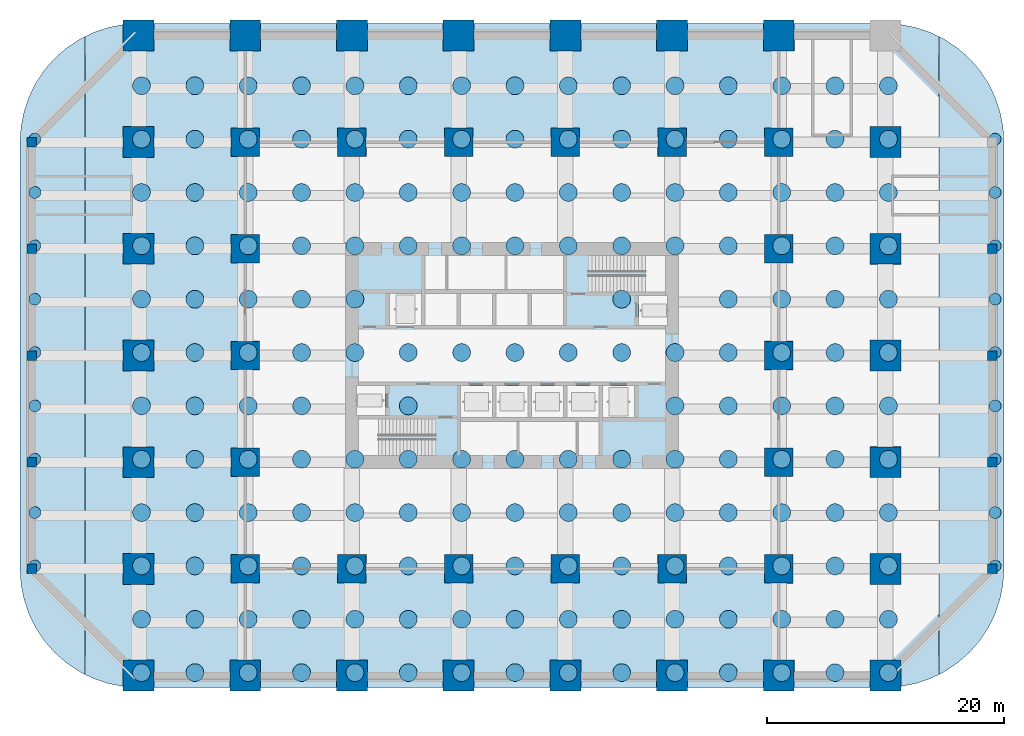
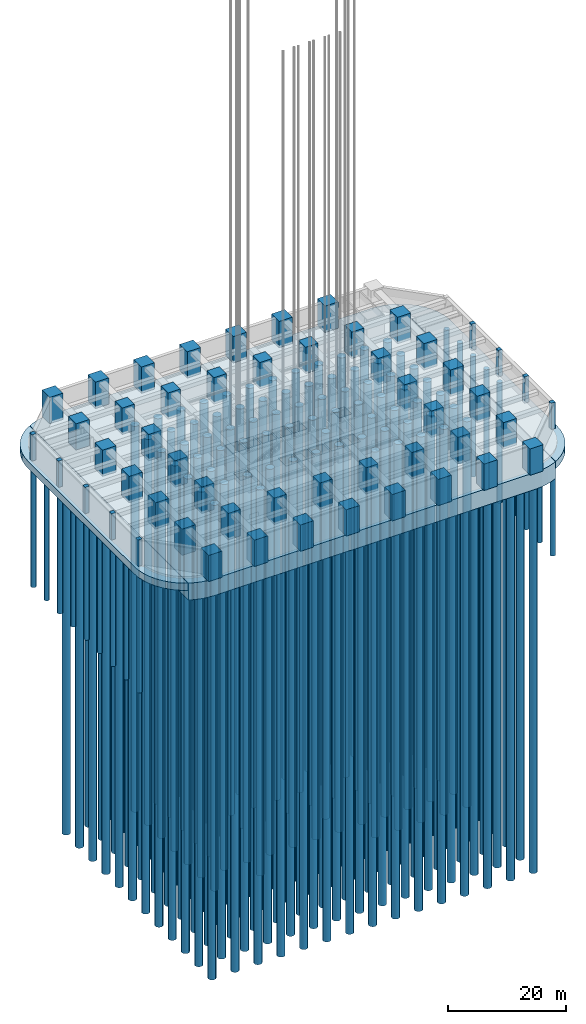
# One storey, part 1 of 24: 188 piles, 52 columns, 3 footings.
"""IFC4 building model written with IfcOpenShell, lengths in metres."""

from ifc_helpers import new_model, si_unit, direction, frame, origin, origin_2d, place, context, subcontext, project, spatial, polyline, rectangle, circle, outline, extrude, material, layer, layer_set, material_profile, profile_set, type_object, element, save


model = new_model("IFC4")

# Units and contexts
model_context = context("Model", 3, precision=1e-05, world=origin(), true_north=direction((0.0, 1.0)))
body_context = subcontext(model_context, "Body", "Model", "MODEL_VIEW")
ifc_project = project(units=[si_unit("LENGTHUNIT", "METRE"), si_unit("AREAUNIT", "SQUARE_METRE"), si_unit("VOLUMEUNIT", "CUBIC_METRE"), si_unit("PLANEANGLEUNIT", "RADIAN"), si_unit("MASSUNIT", "GRAM", prefix="KILO")], contexts=[model_context])

# Site, building, storey
site_placement = place(None, origin())
site = spatial("IfcSite", under=ifc_project, at=site_placement, CompositionType="ELEMENT")
building_placement = place(site_placement, origin())
building = spatial("IfcBuilding", under=site, at=building_placement, Name="Zorevar Civic Tower", CompositionType="ELEMENT")
storey_placement = place(building_placement, frame((0.0, 0.0, -5.0)))
storey = spatial("IfcBuildingStorey", under=building, at=storey_placement, Name="B1", CompositionType="ELEMENT", Elevation=-5.0)

# Piles
ifc_material_1 = material(Name="Concrete C35/45", Category="concrete")
pile_type_1 = type_object("IfcPileType", Name="Bored pile D1000", PredefinedType="BORED", material=ifc_material_1)
for number, where, z_axis, x_axis, name in (
    (1, (-8.75, 9.25, -1.949951171875), (0.0, 0.0, -1.0), (1.0, 0.0, 0.0), "Pile 031"),
    (2, (72.25, 9.25, -1.949951171875), (0.0, 0.0, -1.0), (1.0, 0.0, 0.0), "Pile 047"),
    (3, (-8.75, 13.75, -1.949951171875), (0.0, 0.0, -1.0), (1.0, 0.0, 0.0), "Pile 048"),
    (4, (72.25, 13.75, -1.949951171875), (0.0, 0.0, -1.0), (1.0, 0.0, 0.0), "Pile 064"),
    (5, (-8.75, 18.25, -1.949951171875), (0.0, 0.0, -1.0), (1.0, 0.0, 0.0), "Pile 065"),
    (6, (72.25, 18.25, -1.949951171875), (0.0, 0.0, -1.0), (1.0, 0.0, 0.0), "Pile 081"),
    (7, (-8.75, 22.75, -1.949951171875), (0.0, 0.0, -1.0), (1.0, 0.0, 0.0), "Pile 082"),
    (8, (72.25, 22.75, -1.949951171875), (0.0, 0.0, -1.0), (1.0, 0.0, 0.0), "Pile 093"),
    (9, (-8.75, 27.25, -1.949951171875), (0.0, 0.0, -1.0), (1.0, 0.0, 0.0), "Pile 094"),
    (10, (72.25, 27.25, -1.949951171875), (0.0, 0.0, -1.0), (1.0, 0.0, 0.0), "Pile 110"),
    (11, (-8.75, 31.75, -1.949951171875), (0.0, 0.0, -1.0), (1.0, 0.0, 0.0), "Pile 111"),
    (12, (72.25, 31.75, -1.949951171875), (0.0, 0.0, -1.0), (1.0, 0.0, 0.0), "Pile 122"),
    (13, (-8.75, 36.25, -1.949951171875), (0.0, 0.0, -1.0), (1.0, 0.0, 0.0), "Pile 123"),
    (14, (72.25, 36.25, -1.949951171875), (0.0, 0.0, -1.0), (1.0, 0.0, 0.0), "Pile 139"),
    (15, (-8.75, 40.75, -1.949951171875), (0.0, 0.0, -1.0), (1.0, 0.0, 0.0), "Pile 140"),
    (16, (72.25, 40.75, -1.949951171875), (0.0, 0.0, -1.0), (1.0, 0.0, 0.0), "Pile 156"),
    (17, (-8.75, 45.25, -1.949951171875), (0.0, 0.0, -1.0), (1.0, 0.0, 0.0), "Pile 157"),
    (18, (72.25, 45.25, -1.949951171875), (0.0, 0.0, -1.0), (1.0, 0.0, 0.0), "Pile 173"),
):
    element("IfcPile", number, at=place(storey_placement, frame(where, z_axis=z_axis, x_axis=x_axis)), inside=storey, type_object=pile_type_1, Name=name, PredefinedType="BORED", context=body_context, shape_type="SweptSolid", body=[
        extrude(circle(Radius=0.5, at=origin_2d()), origin(), (0.0, 0.0, 1.0), 25.0),
    ])
ifc_material_2 = material(Name="Concrete C35/45", Category="concrete")
pile_type_2 = type_object("IfcPileType", Name="Bored pile D1500", PredefinedType="BORED", material=ifc_material_2)
for number, where, z_axis, x_axis, name in (
    (19, (0.25, 0.25, -3.949951171875), (0.0, 0.0, -1.0), (1.0, 0.0, 0.0), "Pile 001"),
    (20, (4.75, 0.25, -3.949951171875), (0.0, 0.0, -1.0), (1.0, 0.0, 0.0), "Pile 002"),
    (21, (9.25, 0.25, -3.949951171875), (0.0, 0.0, -1.0), (1.0, 0.0, 0.0), "Pile 003"),
    (22, (13.75, 0.25, -3.949951171875), (0.0, 0.0, -1.0), (1.0, 0.0, 0.0), "Pile 004"),
    (23, (18.25, 0.25, -3.949951171875), (0.0, 0.0, -1.0), (1.0, 0.0, 0.0), "Pile 005"),
    (24, (22.75, 0.25, -3.949951171875), (0.0, 0.0, -1.0), (1.0, 0.0, 0.0), "Pile 006"),
    (25, (27.25, 0.25, -3.949951171875), (0.0, 0.0, -1.0), (1.0, 0.0, 0.0), "Pile 007"),
    (26, (31.75, 0.25, -3.949951171875), (0.0, 0.0, -1.0), (1.0, 0.0, 0.0), "Pile 008"),
    (27, (36.25, 0.25, -3.949951171875), (0.0, 0.0, -1.0), (1.0, 0.0, 0.0), "Pile 009"),
    (28, (40.75, 0.25, -3.949951171875), (0.0, 0.0, -1.0), (1.0, 0.0, 0.0), "Pile 010"),
    (29, (45.25, 0.25, -3.949951171875), (0.0, 0.0, -1.0), (1.0, 0.0, 0.0), "Pile 011"),
    (30, (49.75, 0.25, -3.949951171875), (0.0, 0.0, -1.0), (1.0, 0.0, 0.0), "Pile 012"),
    (31, (54.25, 0.25, -3.949951171875), (0.0, 0.0, -1.0), (1.0, 0.0, 0.0), "Pile 013"),
    (32, (58.75, 0.25, -3.949951171875), (0.0, 0.0, -1.0), (1.0, 0.0, 0.0), "Pile 014"),
    (33, (63.25, 0.25, -3.949951171875), (0.0, 0.0, -1.0), (1.0, 0.0, 0.0), "Pile 015"),
    (34, (0.25, 4.75, -3.949951171875), (0.0, 0.0, -1.0), (1.0, 0.0, 0.0), "Pile 016"),
    (35, (4.75, 4.75, -3.949951171875), (0.0, 0.0, -1.0), (1.0, 0.0, 0.0), "Pile 017"),
    (36, (9.25, 4.75, -3.949951171875), (0.0, 0.0, -1.0), (1.0, 0.0, 0.0), "Pile 018"),
    (37, (13.75, 4.75, -3.949951171875), (0.0, 0.0, -1.0), (1.0, 0.0, 0.0), "Pile 019"),
    (38, (18.25, 4.75, -3.949951171875), (0.0, 0.0, -1.0), (1.0, 0.0, 0.0), "Pile 020"),
    (39, (22.75, 4.75, -3.949951171875), (0.0, 0.0, -1.0), (1.0, 0.0, 0.0), "Pile 021"),
    (40, (27.25, 4.75, -3.949951171875), (0.0, 0.0, -1.0), (1.0, 0.0, 0.0), "Pile 022"),
    (41, (31.75, 4.75, -3.949951171875), (0.0, 0.0, -1.0), (1.0, 0.0, 0.0), "Pile 023"),
    (42, (36.25, 4.75, -3.949951171875), (0.0, 0.0, -1.0), (1.0, 0.0, 0.0), "Pile 024"),
    (43, (40.75, 4.75, -3.949951171875), (0.0, 0.0, -1.0), (1.0, 0.0, 0.0), "Pile 025"),
    (44, (45.25, 4.75, -3.949951171875), (0.0, 0.0, -1.0), (1.0, 0.0, 0.0), "Pile 026"),
    (45, (49.75, 4.75, -3.949951171875), (0.0, 0.0, -1.0), (1.0, 0.0, 0.0), "Pile 027"),
    (46, (54.25, 4.75, -3.949951171875), (0.0, 0.0, -1.0), (1.0, 0.0, 0.0), "Pile 028"),
    (47, (58.75, 4.75, -3.949951171875), (0.0, 0.0, -1.0), (1.0, 0.0, 0.0), "Pile 029"),
    (48, (63.25, 4.75, -3.949951171875), (0.0, 0.0, -1.0), (1.0, 0.0, 0.0), "Pile 030"),
    (49, (0.25, 9.25, -3.949951171875), (0.0, 0.0, -1.0), (1.0, 0.0, 0.0), "Pile 032"),
    (50, (4.75, 9.25, -3.949951171875), (0.0, 0.0, -1.0), (1.0, 0.0, 0.0), "Pile 033"),
    (51, (9.25, 9.25, -3.949951171875), (0.0, 0.0, -1.0), (1.0, 0.0, 0.0), "Pile 034"),
    (52, (13.75, 9.25, -3.949951171875), (0.0, 0.0, -1.0), (1.0, 0.0, 0.0), "Pile 035"),
    (53, (18.25, 9.25, -3.949951171875), (0.0, 0.0, -1.0), (1.0, 0.0, 0.0), "Pile 036"),
    (54, (22.75, 9.25, -3.949951171875), (0.0, 0.0, -1.0), (1.0, 0.0, 0.0), "Pile 037"),
    (55, (27.25, 9.25, -3.949951171875), (0.0, 0.0, -1.0), (1.0, 0.0, 0.0), "Pile 038"),
    (56, (31.75, 9.25, -3.949951171875), (0.0, 0.0, -1.0), (1.0, 0.0, 0.0), "Pile 039"),
    (57, (36.25, 9.25, -3.949951171875), (0.0, 0.0, -1.0), (1.0, 0.0, 0.0), "Pile 040"),
    (58, (40.75, 9.25, -3.949951171875), (0.0, 0.0, -1.0), (1.0, 0.0, 0.0), "Pile 041"),
    (59, (45.25, 9.25, -3.949951171875), (0.0, 0.0, -1.0), (1.0, 0.0, 0.0), "Pile 042"),
    (60, (49.75, 9.25, -3.949951171875), (0.0, 0.0, -1.0), (1.0, 0.0, 0.0), "Pile 043"),
    (61, (54.25, 9.25, -3.949951171875), (0.0, 0.0, -1.0), (1.0, 0.0, 0.0), "Pile 044"),
    (62, (58.75, 9.25, -3.949951171875), (0.0, 0.0, -1.0), (1.0, 0.0, 0.0), "Pile 045"),
    (63, (63.25, 9.25, -3.949951171875), (0.0, 0.0, -1.0), (1.0, 0.0, 0.0), "Pile 046"),
    (64, (0.25, 13.75, -3.949951171875), (0.0, 0.0, -1.0), (1.0, 0.0, 0.0), "Pile 049"),
    (65, (4.75, 13.75, -3.949951171875), (0.0, 0.0, -1.0), (1.0, 0.0, 0.0), "Pile 050"),
    (66, (9.25, 13.75, -3.949951171875), (0.0, 0.0, -1.0), (1.0, 0.0, 0.0), "Pile 051"),
    (67, (13.75, 13.75, -3.949951171875), (0.0, 0.0, -1.0), (1.0, 0.0, 0.0), "Pile 052"),
    (68, (18.25, 13.75, -3.949951171875), (0.0, 0.0, -1.0), (1.0, 0.0, 0.0), "Pile 053"),
    (69, (22.75, 13.75, -3.949951171875), (0.0, 0.0, -1.0), (1.0, 0.0, 0.0), "Pile 054"),
    (70, (27.25, 13.75, -3.949951171875), (0.0, 0.0, -1.0), (1.0, 0.0, 0.0), "Pile 055"),
    (71, (31.75, 13.75, -3.949951171875), (0.0, 0.0, -1.0), (1.0, 0.0, 0.0), "Pile 056"),
    (72, (36.25, 13.75, -3.949951171875), (0.0, 0.0, -1.0), (1.0, 0.0, 0.0), "Pile 057"),
    (73, (40.75, 13.75, -3.949951171875), (0.0, 0.0, -1.0), (1.0, 0.0, 0.0), "Pile 058"),
    (74, (45.25, 13.75, -3.949951171875), (0.0, 0.0, -1.0), (1.0, 0.0, 0.0), "Pile 059"),
    (75, (49.75, 13.75, -3.949951171875), (0.0, 0.0, -1.0), (1.0, 0.0, 0.0), "Pile 060"),
    (76, (54.25, 13.75, -3.949951171875), (0.0, 0.0, -1.0), (1.0, 0.0, 0.0), "Pile 061"),
    (77, (58.75, 13.75, -3.949951171875), (0.0, 0.0, -1.0), (1.0, 0.0, 0.0), "Pile 062"),
    (78, (63.25, 13.75, -3.949951171875), (0.0, 0.0, -1.0), (1.0, 0.0, 0.0), "Pile 063"),
    (79, (0.25, 18.25, -3.949951171875), (0.0, 0.0, -1.0), (1.0, 0.0, 0.0), "Pile 066"),
    (80, (4.75, 18.25, -3.949951171875), (0.0, 0.0, -1.0), (1.0, 0.0, 0.0), "Pile 067"),
    (81, (9.25, 18.25, -3.949951171875), (0.0, 0.0, -1.0), (1.0, 0.0, 0.0), "Pile 068"),
    (82, (13.75, 18.25, -3.949951171875), (0.0, 0.0, -1.0), (1.0, 0.0, 0.0), "Pile 069"),
    (83, (18.25, 18.25, -3.949951171875), (0.0, 0.0, -1.0), (1.0, 0.0, 0.0), "Pile 070"),
    (84, (22.75, 18.25, -3.949951171875), (0.0, 0.0, -1.0), (1.0, 0.0, 0.0), "Pile 071"),
    (85, (27.25, 18.25, -3.949951171875), (0.0, 0.0, -1.0), (1.0, 0.0, 0.0), "Pile 072"),
    (86, (31.75, 18.25, -3.949951171875), (0.0, 0.0, -1.0), (1.0, 0.0, 0.0), "Pile 073"),
    (87, (36.25, 18.25, -3.949951171875), (0.0, 0.0, -1.0), (1.0, 0.0, 0.0), "Pile 074"),
    (88, (40.75, 18.25, -3.949951171875), (0.0, 0.0, -1.0), (1.0, 0.0, 0.0), "Pile 075"),
    (89, (45.25, 18.25, -3.949951171875), (0.0, 0.0, -1.0), (1.0, 0.0, 0.0), "Pile 076"),
    (90, (49.75, 18.25, -3.949951171875), (0.0, 0.0, -1.0), (1.0, 0.0, 0.0), "Pile 077"),
    (91, (54.25, 18.25, -3.949951171875), (0.0, 0.0, -1.0), (1.0, 0.0, 0.0), "Pile 078"),
    (92, (58.75, 18.25, -3.949951171875), (0.0, 0.0, -1.0), (1.0, 0.0, 0.0), "Pile 079"),
    (93, (63.25, 18.25, -3.949951171875), (0.0, 0.0, -1.0), (1.0, 0.0, 0.0), "Pile 080"),
    (94, (0.25, 22.75, -3.949951171875), (0.0, 0.0, -1.0), (1.0, 0.0, 0.0), "Pile 083"),
    (95, (4.75, 22.75, -3.949951171875), (0.0, 0.0, -1.0), (1.0, 0.0, 0.0), "Pile 084"),
    (96, (9.25, 22.75, -3.949951171875), (0.0, 0.0, -1.0), (1.0, 0.0, 0.0), "Pile 085"),
    (97, (13.75, 22.75, -3.949951171875), (0.0, 0.0, -1.0), (1.0, 0.0, 0.0), "Pile 086"),
    (98, (22.75, 22.75, -3.949951171875), (0.0, 0.0, -1.0), (1.0, 0.0, 0.0), "Pile 087"),
    (99, (45.25, 22.75, -3.949951171875), (0.0, 0.0, -1.0), (1.0, 0.0, 0.0), "Pile 088"),
    (100, (49.75, 22.75, -3.949951171875), (0.0, 0.0, -1.0), (1.0, 0.0, 0.0), "Pile 089"),
    (101, (54.25, 22.75, -3.949951171875), (0.0, 0.0, -1.0), (1.0, 0.0, 0.0), "Pile 090"),
    (102, (58.75, 22.75, -3.949951171875), (0.0, 0.0, -1.0), (1.0, 0.0, 0.0), "Pile 091"),
    (103, (63.25, 22.75, -3.949951171875), (0.0, 0.0, -1.0), (1.0, 0.0, 0.0), "Pile 092"),
    (104, (0.25, 27.25, -3.949951171875), (0.0, 0.0, -1.0), (1.0, 0.0, 0.0), "Pile 095"),
    (105, (4.75, 27.25, -3.949951171875), (0.0, 0.0, -1.0), (1.0, 0.0, 0.0), "Pile 096"),
    (106, (9.25, 27.25, -3.949951171875), (0.0, 0.0, -1.0), (1.0, 0.0, 0.0), "Pile 097"),
    (107, (13.75, 27.25, -3.949951171875), (0.0, 0.0, -1.0), (1.0, 0.0, 0.0), "Pile 098"),
    (108, (18.25, 27.25, -3.949951171875), (0.0, 0.0, -1.0), (1.0, 0.0, 0.0), "Pile 099"),
    (109, (22.75, 27.25, -3.949951171875), (0.0, 0.0, -1.0), (1.0, 0.0, 0.0), "Pile 100"),
    (110, (27.25, 27.25, -3.949951171875), (0.0, 0.0, -1.0), (1.0, 0.0, 0.0), "Pile 101"),
    (111, (31.75, 27.25, -3.949951171875), (0.0, 0.0, -1.0), (1.0, 0.0, 0.0), "Pile 102"),
    (112, (36.25, 27.25, -3.949951171875), (0.0, 0.0, -1.0), (1.0, 0.0, 0.0), "Pile 103"),
    (113, (40.75, 27.25, -3.949951171875), (0.0, 0.0, -1.0), (1.0, 0.0, 0.0), "Pile 104"),
    (114, (45.25, 27.25, -3.949951171875), (0.0, 0.0, -1.0), (1.0, 0.0, 0.0), "Pile 105"),
    (115, (49.75, 27.25, -3.949951171875), (0.0, 0.0, -1.0), (1.0, 0.0, 0.0), "Pile 106"),
    (116, (54.25, 27.25, -3.949951171875), (0.0, 0.0, -1.0), (1.0, 0.0, 0.0), "Pile 107"),
    (117, (58.75, 27.25, -3.949951171875), (0.0, 0.0, -1.0), (1.0, 0.0, 0.0), "Pile 108"),
    (118, (63.25, 27.25, -3.949951171875), (0.0, 0.0, -1.0), (1.0, 0.0, 0.0), "Pile 109"),
    (119, (0.25, 31.75, -3.949951171875), (0.0, 0.0, -1.0), (1.0, 0.0, 0.0), "Pile 112"),
    (120, (4.75, 31.75, -3.949951171875), (0.0, 0.0, -1.0), (1.0, 0.0, 0.0), "Pile 113"),
    (121, (9.25, 31.75, -3.949951171875), (0.0, 0.0, -1.0), (1.0, 0.0, 0.0), "Pile 114"),
    (122, (13.75, 31.75, -3.949951171875), (0.0, 0.0, -1.0), (1.0, 0.0, 0.0), "Pile 115"),
    (123, (18.25, 31.75, -3.949951171875), (0.0, 0.0, -1.0), (1.0, 0.0, 0.0), "Pile 116"),
    (124, (40.75, 31.75, -3.949951171875), (0.0, 0.0, -1.0), (1.0, 0.0, 0.0), "Pile 117"),
    (125, (49.75, 31.75, -3.949951171875), (0.0, 0.0, -1.0), (1.0, 0.0, 0.0), "Pile 118"),
    (126, (54.25, 31.75, -3.949951171875), (0.0, 0.0, -1.0), (1.0, 0.0, 0.0), "Pile 119"),
    (127, (58.75, 31.75, -3.949951171875), (0.0, 0.0, -1.0), (1.0, 0.0, 0.0), "Pile 120"),
    (128, (63.25, 31.75, -3.949951171875), (0.0, 0.0, -1.0), (1.0, 0.0, 0.0), "Pile 121"),
    (129, (0.25, 36.25, -3.949951171875), (0.0, 0.0, -1.0), (1.0, 0.0, 0.0), "Pile 124"),
    (130, (4.75, 36.25, -3.949951171875), (0.0, 0.0, -1.0), (1.0, 0.0, 0.0), "Pile 125"),
    (131, (9.25, 36.25, -3.949951171875), (0.0, 0.0, -1.0), (1.0, 0.0, 0.0), "Pile 126"),
    (132, (13.75, 36.25, -3.949951171875), (0.0, 0.0, -1.0), (1.0, 0.0, 0.0), "Pile 127"),
    (133, (18.25, 36.25, -3.949951171875), (0.0, 0.0, -1.0), (1.0, 0.0, 0.0), "Pile 128"),
    (134, (22.75, 36.25, -3.949951171875), (0.0, 0.0, -1.0), (1.0, 0.0, 0.0), "Pile 129"),
    (135, (27.25, 36.25, -3.949951171875), (0.0, 0.0, -1.0), (1.0, 0.0, 0.0), "Pile 130"),
    (136, (31.75, 36.25, -3.949951171875), (0.0, 0.0, -1.0), (1.0, 0.0, 0.0), "Pile 131"),
    (137, (36.25, 36.25, -3.949951171875), (0.0, 0.0, -1.0), (1.0, 0.0, 0.0), "Pile 132"),
    (138, (40.75, 36.25, -3.949951171875), (0.0, 0.0, -1.0), (1.0, 0.0, 0.0), "Pile 133"),
    (139, (45.25, 36.25, -3.949951171875), (0.0, 0.0, -1.0), (1.0, 0.0, 0.0), "Pile 134"),
    (140, (49.75, 36.25, -3.949951171875), (0.0, 0.0, -1.0), (1.0, 0.0, 0.0), "Pile 135"),
    (141, (54.25, 36.25, -3.949951171875), (0.0, 0.0, -1.0), (1.0, 0.0, 0.0), "Pile 136"),
    (142, (58.75, 36.25, -3.949951171875), (0.0, 0.0, -1.0), (1.0, 0.0, 0.0), "Pile 137"),
    (143, (63.25, 36.25, -3.949951171875), (0.0, 0.0, -1.0), (1.0, 0.0, 0.0), "Pile 138"),
    (144, (0.25, 40.75, -3.949951171875), (0.0, 0.0, -1.0), (1.0, 0.0, 0.0), "Pile 141"),
    (145, (4.75, 40.75, -3.949951171875), (0.0, 0.0, -1.0), (1.0, 0.0, 0.0), "Pile 142"),
    (146, (9.25, 40.75, -3.949951171875), (0.0, 0.0, -1.0), (1.0, 0.0, 0.0), "Pile 143"),
    (147, (13.75, 40.75, -3.949951171875), (0.0, 0.0, -1.0), (1.0, 0.0, 0.0), "Pile 144"),
    (148, (18.25, 40.75, -3.949951171875), (0.0, 0.0, -1.0), (1.0, 0.0, 0.0), "Pile 145"),
    (149, (22.75, 40.75, -3.949951171875), (0.0, 0.0, -1.0), (1.0, 0.0, 0.0), "Pile 146"),
    (150, (27.25, 40.75, -3.949951171875), (0.0, 0.0, -1.0), (1.0, 0.0, 0.0), "Pile 147"),
    (151, (31.75, 40.75, -3.949951171875), (0.0, 0.0, -1.0), (1.0, 0.0, 0.0), "Pile 148"),
    (152, (36.25, 40.75, -3.949951171875), (0.0, 0.0, -1.0), (1.0, 0.0, 0.0), "Pile 149"),
    (153, (40.75, 40.75, -3.949951171875), (0.0, 0.0, -1.0), (1.0, 0.0, 0.0), "Pile 150"),
    (154, (45.25, 40.75, -3.949951171875), (0.0, 0.0, -1.0), (1.0, 0.0, 0.0), "Pile 151"),
    (155, (49.75, 40.75, -3.949951171875), (0.0, 0.0, -1.0), (1.0, 0.0, 0.0), "Pile 152"),
    (156, (54.25, 40.75, -3.949951171875), (0.0, 0.0, -1.0), (1.0, 0.0, 0.0), "Pile 153"),
    (157, (58.75, 40.75, -3.949951171875), (0.0, 0.0, -1.0), (1.0, 0.0, 0.0), "Pile 154"),
    (158, (63.25, 40.75, -3.949951171875), (0.0, 0.0, -1.0), (1.0, 0.0, 0.0), "Pile 155"),
    (159, (0.25, 45.25, -3.949951171875), (0.0, 0.0, -1.0), (1.0, 0.0, 0.0), "Pile 158"),
    (160, (4.75, 45.25, -3.949951171875), (0.0, 0.0, -1.0), (1.0, 0.0, 0.0), "Pile 159"),
    (161, (9.25, 45.25, -3.949951171875), (0.0, 0.0, -1.0), (1.0, 0.0, 0.0), "Pile 160"),
    (162, (13.75, 45.25, -3.949951171875), (0.0, 0.0, -1.0), (1.0, 0.0, 0.0), "Pile 161"),
    (163, (18.25, 45.25, -3.949951171875), (0.0, 0.0, -1.0), (1.0, 0.0, 0.0), "Pile 162"),
    (164, (22.75, 45.25, -3.949951171875), (0.0, 0.0, -1.0), (1.0, 0.0, 0.0), "Pile 163"),
    (165, (27.25, 45.25, -3.949951171875), (0.0, 0.0, -1.0), (1.0, 0.0, 0.0), "Pile 164"),
    (166, (31.75, 45.25, -3.949951171875), (0.0, 0.0, -1.0), (1.0, 0.0, 0.0), "Pile 165"),
    (167, (36.25, 45.25, -3.949951171875), (0.0, 0.0, -1.0), (1.0, 0.0, 0.0), "Pile 166"),
    (168, (40.75, 45.25, -3.949951171875), (0.0, 0.0, -1.0), (1.0, 0.0, 0.0), "Pile 167"),
    (169, (45.25, 45.25, -3.949951171875), (0.0, 0.0, -1.0), (1.0, 0.0, 0.0), "Pile 168"),
    (170, (49.75, 45.25, -3.949951171875), (0.0, 0.0, -1.0), (1.0, 0.0, 0.0), "Pile 169"),
    (171, (54.25, 45.25, -3.949951171875), (0.0, 0.0, -1.0), (1.0, 0.0, 0.0), "Pile 170"),
    (172, (58.75, 45.25, -3.949951171875), (0.0, 0.0, -1.0), (1.0, 0.0, 0.0), "Pile 171"),
    (173, (63.25, 45.25, -3.949951171875), (0.0, 0.0, -1.0), (1.0, 0.0, 0.0), "Pile 172"),
    (174, (0.25, 49.75, -3.949951171875), (0.0, 0.0, -1.0), (1.0, 0.0, 0.0), "Pile 174"),
    (175, (4.75, 49.75, -3.949951171875), (0.0, 0.0, -1.0), (1.0, 0.0, 0.0), "Pile 175"),
    (176, (9.25, 49.75, -3.949951171875), (0.0, 0.0, -1.0), (1.0, 0.0, 0.0), "Pile 176"),
    (177, (13.75, 49.75, -3.949951171875), (0.0, 0.0, -1.0), (1.0, 0.0, 0.0), "Pile 177"),
    (178, (18.25, 49.75, -3.949951171875), (0.0, 0.0, -1.0), (1.0, 0.0, 0.0), "Pile 178"),
    (179, (22.75, 49.75, -3.949951171875), (0.0, 0.0, -1.0), (1.0, 0.0, 0.0), "Pile 179"),
    (180, (27.25, 49.75, -3.949951171875), (0.0, 0.0, -1.0), (1.0, 0.0, 0.0), "Pile 180"),
    (181, (31.75, 49.75, -3.949951171875), (0.0, 0.0, -1.0), (1.0, 0.0, 0.0), "Pile 181"),
    (182, (36.25, 49.75, -3.949951171875), (0.0, 0.0, -1.0), (1.0, 0.0, 0.0), "Pile 182"),
    (183, (40.75, 49.75, -3.949951171875), (0.0, 0.0, -1.0), (1.0, 0.0, 0.0), "Pile 183"),
    (184, (45.25, 49.75, -3.949951171875), (0.0, 0.0, -1.0), (1.0, 0.0, 0.0), "Pile 184"),
    (185, (49.75, 49.75, -3.949951171875), (0.0, 0.0, -1.0), (1.0, 0.0, 0.0), "Pile 185"),
    (186, (54.25, 49.75, -3.949951171875), (0.0, 0.0, -1.0), (1.0, 0.0, 0.0), "Pile 186"),
    (187, (58.75, 49.75, -3.949951171875), (0.0, 0.0, -1.0), (1.0, 0.0, 0.0), "Pile 187"),
    (188, (63.25, 49.75, -3.949951171875), (0.0, 0.0, -1.0), (1.0, 0.0, 0.0), "Pile 188"),
):
    element("IfcPile", number, at=place(storey_placement, frame(where, z_axis=z_axis, x_axis=x_axis)), inside=storey, type_object=pile_type_2, Name=name, PredefinedType="BORED", context=body_context, shape_type="SweptSolid", body=[
        extrude(circle(Radius=0.75, at=origin_2d()), origin(), (0.0, 0.0, 1.0), 80.0),
    ])

# Footings
ifc_material_3 = material(Name="Concrete C40/50", Category="concrete")
ifc_layer_1 = layer(ifc_material_3, 1.5)
ifc_layer_set_1 = layer_set([ifc_layer_1], Name="Podium piled raft 1500")
footing_type_1 = type_object("IfcFootingType", Name="Podium piled raft 1500", PredefinedType="PILE_CAP", material=ifc_layer_set_1)
footing_1_placement = place(storey_placement, frame((0.0, 0.0, -1.949951171875)))
element("IfcFooting", 189, at=footing_1_placement, inside=storey, type_object=footing_type_1, Name="Podium piled raft PR2 W", PredefinedType="PILE_CAP", context=body_context, shape_type="SweptSolid", body=[
    extrude(outline(polyline([(-5.0, 0.33984375), (-6.087646484375, 1.06640625), (-7.071044921875, 1.928955078125), (-7.93359375, 2.912353515625), (-8.66015625, 4.0), (-9.23876953125, 5.173095703125), (-9.6591796875, 6.411865234375), (-9.91455078125, 7.69482421875), (-10.0, 9.0), (-10.0, 45.0), (-9.91455078125, 46.30517578125), (-9.6591796875, 47.588134765625), (-9.23876953125, 48.826904296875), (-8.66015625, 50.0), (-7.93359375, 51.087646484375), (-7.071044921875, 52.071044921875), (-6.087646484375, 52.93359375), (-5.0, 53.66015625), (-4.52490234375, 53.89453125), (-4.52490234375, 0.10546875), (-5.0, 0.33984375)])), origin(), (0.0, 0.0, 1.0), 1.5),
])
footing_2_placement = place(storey_placement, frame((0.0, 0.0, -1.949951171875)))
element("IfcFooting", 190, at=footing_2_placement, inside=storey, type_object=footing_type_1, Name="Podium piled raft PR2 E", PredefinedType="PILE_CAP", context=body_context, shape_type="SweptSolid", body=[
    extrude(outline(polyline([(68.0, 53.66015625), (69.087646484375, 52.93359375), (70.071044921875, 52.071044921875), (70.93359375, 51.087646484375), (71.66015625, 50.0), (72.23876953125, 48.826904296875), (72.6591796875, 47.588134765625), (72.91455078125, 46.30517578125), (73.0, 45.0), (73.0, 9.0), (72.91455078125, 7.69482421875), (72.6591796875, 6.411865234375), (72.23876953125, 5.173095703125), (71.66015625, 4.0), (70.93359375, 2.912353515625), (70.071044921875, 1.928955078125), (69.087646484375, 1.06640625), (68.0, 0.33984375), (67.52490234375, 0.10546875), (67.52490234375, 53.89453125), (68.0, 53.66015625)])), origin(), (0.0, 0.0, 1.0), 1.5),
])
ifc_material_4 = material(Name="Concrete C40/50", Category="concrete")
ifc_layer_2 = layer(ifc_material_4, 3.5)
ifc_layer_set_2 = layer_set([ifc_layer_2], Name="Tower piled raft 3500")
footing_type_2 = type_object("IfcFootingType", Name="Tower piled raft 3500", PredefinedType="PILE_CAP", material=ifc_layer_set_2)
footing_3_placement = place(storey_placement, frame((0.0, 0.0, -3.949951171875)))
element("IfcFooting", 191, at=footing_3_placement, inside=storey, type_object=footing_type_2, Name="Tower piled raft PR1", PredefinedType="PILE_CAP", context=body_context, shape_type="SweptSolid", body=[
    extrude(outline(polyline([(66.826904296875, -0.23876953125), (65.588134765625, -0.6591796875), (64.30517578125, -0.91455078125), (63.0, -1.0), (0.0, -1.0), (-1.30517578125, -0.91455078125), (-2.588134765625, -0.6591796875), (-3.826904296875, -0.23876953125), (-4.47509765625, 0.080810546875), (-4.47509765625, 53.919189453125), (-3.826904296875, 54.23876953125), (-2.588134765625, 54.6591796875), (-1.30517578125, 54.91455078125), (0.0, 55.0), (63.0, 55.0), (64.30517578125, 54.91455078125), (65.588134765625, 54.6591796875), (66.826904296875, 54.23876953125), (67.47509765625, 53.919189453125), (67.47509765625, 0.080810546875), (66.826904296875, -0.23876953125)]), holes=[polyline([(18.39990234375, 21.949951171875), (20.85009765625, 21.949951171875), (20.85009765625, 24.449951171875), (18.39990234375, 24.449951171875), (18.39990234375, 21.949951171875)]), polyline([(42.14990234375, 29.550048828125), (44.60009765625, 29.550048828125), (44.60009765625, 32.050048828125), (42.14990234375, 32.050048828125), (42.14990234375, 29.550048828125)]), polyline([(27.14990234375, 21.75), (29.85009765625, 21.75), (29.85009765625, 24.449951171875), (27.14990234375, 24.449951171875), (27.14990234375, 21.75)]), polyline([(33.14990234375, 29.550048828125), (35.85009765625, 29.550048828125), (35.85009765625, 32.25), (33.14990234375, 32.25), (33.14990234375, 29.550048828125)]), polyline([(30.14990234375, 21.75), (32.85009765625, 21.75), (32.85009765625, 24.449951171875), (30.14990234375, 24.449951171875), (30.14990234375, 21.75)]), polyline([(30.14990234375, 29.550048828125), (32.85009765625, 29.550048828125), (32.85009765625, 32.25), (30.14990234375, 32.25), (30.14990234375, 29.550048828125)]), polyline([(33.14990234375, 21.75), (35.85009765625, 21.75), (35.85009765625, 24.449951171875), (33.14990234375, 24.449951171875), (33.14990234375, 21.75)]), polyline([(27.14990234375, 29.550048828125), (29.85009765625, 29.550048828125), (29.85009765625, 32.25), (27.14990234375, 32.25), (27.14990234375, 29.550048828125)]), polyline([(36.14990234375, 21.75), (38.85009765625, 21.75), (38.85009765625, 24.449951171875), (36.14990234375, 24.449951171875), (36.14990234375, 21.75)]), polyline([(24.14990234375, 29.550048828125), (26.85009765625, 29.550048828125), (26.85009765625, 32.25), (24.14990234375, 32.25), (24.14990234375, 29.550048828125)]), polyline([(39.14990234375, 21.75), (41.85009765625, 21.75), (41.85009765625, 24.449951171875), (39.14990234375, 24.449951171875), (39.14990234375, 21.75)]), polyline([(21.14990234375, 29.550048828125), (23.85009765625, 29.550048828125), (23.85009765625, 32.25), (21.14990234375, 32.25), (21.14990234375, 29.550048828125)])]), origin(), (0.0, 0.0, 1.0), 3.5),
])

# Columns
ifc_material_5 = material(Name="Concrete C50/60", Category="concrete")
ifc_material_profile_1 = material_profile(ifc_material_5, rectangle(XDim=2.39990234375, YDim=2.39990234375, at=origin_2d()), Name="RC 2400x2400")
ifc_profile_set_1 = profile_set([ifc_material_profile_1], Name="Concrete C50/60")
column_type_1 = type_object("IfcColumnType", Name="Column RC 2400x2400", PredefinedType="COLUMN", material=ifc_profile_set_1)
for number, where, z_axis, x_axis, name in (
    (192, (9.0, 9.0, -0.449951171875), (0.0, 0.0, 1.0), (1.0, 0.0, 0.0), "Column 3B B1"),
    (193, (9.0, 18.0, -0.449951171875), (0.0, 0.0, 1.0), (1.0, 0.0, 0.0), "Column 3C B1"),
    (194, (9.0, 27.0, -0.449951171875), (0.0, 0.0, 1.0), (1.0, 0.0, 0.0), "Column 3D B1"),
    (195, (9.0, 36.0, -0.449951171875), (0.0, 0.0, 1.0), (1.0, 0.0, 0.0), "Column 3E B1"),
    (196, (9.0, 45.0, -0.449951171875), (0.0, 0.0, 1.0), (1.0, 0.0, 0.0), "Column 3F B1"),
    (197, (18.0, 9.0, -0.449951171875), (0.0, 0.0, 1.0), (1.0, 0.0, 0.0), "Column 4B B1"),
    (198, (18.0, 45.0, -0.449951171875), (0.0, 0.0, 1.0), (1.0, 0.0, 0.0), "Column 4F B1"),
    (199, (27.0, 9.0, -0.449951171875), (0.0, 0.0, 1.0), (1.0, 0.0, 0.0), "Column 5B B1"),
    (200, (27.0, 45.0, -0.449951171875), (0.0, 0.0, 1.0), (1.0, 0.0, 0.0), "Column 5F B1"),
    (201, (36.0, 9.0, -0.449951171875), (0.0, 0.0, 1.0), (1.0, 0.0, 0.0), "Column 6B B1"),
    (202, (36.0, 45.0, -0.449951171875), (0.0, 0.0, 1.0), (1.0, 0.0, 0.0), "Column 6F B1"),
    (203, (45.0, 9.0, -0.449951171875), (0.0, 0.0, 1.0), (1.0, 0.0, 0.0), "Column 7B B1"),
    (204, (45.0, 45.0, -0.449951171875), (0.0, 0.0, 1.0), (1.0, 0.0, 0.0), "Column 7F B1"),
    (205, (54.0, 9.0, -0.449951171875), (0.0, 0.0, 1.0), (1.0, 0.0, 0.0), "Column 8B B1"),
    (206, (54.0, 18.0, -0.449951171875), (0.0, 0.0, 1.0), (1.0, 0.0, 0.0), "Column 8C B1"),
    (207, (54.0, 27.0, -0.449951171875), (0.0, 0.0, 1.0), (1.0, 0.0, 0.0), "Column 8D B1"),
    (208, (54.0, 36.0, -0.449951171875), (0.0, 0.0, 1.0), (1.0, 0.0, 0.0), "Column 8E B1"),
    (209, (54.0, 45.0, -0.449951171875), (0.0, 0.0, 1.0), (1.0, 0.0, 0.0), "Column 8F B1"),
):
    element("IfcColumn", number, at=place(storey_placement, frame(where, z_axis=z_axis, x_axis=x_axis)), inside=storey, type_object=column_type_1, Name=name, PredefinedType="COLUMN", context=body_context, shape_type="SweptSolid", body=[
        extrude(rectangle(XDim=2.39990234375, YDim=2.39990234375, at=origin_2d()), origin(), (0.0, 0.0, 1.0), 5.449951171875),
    ])
ifc_material_6 = material(Name="Concrete C50/60", Category="concrete")
ifc_material_profile_2 = material_profile(ifc_material_6, rectangle(XDim=2.60009765625, YDim=2.60009765625, at=origin_2d()), Name="RC 2600x2600")
ifc_profile_set_2 = profile_set([ifc_material_profile_2], Name="Concrete C50/60")
column_type_2 = type_object("IfcColumnType", Name="Column RC 2600x2600", PredefinedType="COLUMN", material=ifc_profile_set_2)
for number, where, z_axis, x_axis, name in (
    (210, (0.0, 0.0, -0.449951171875), (0.0, 0.0, 1.0), (1.0, 0.0, 0.0), "Column 2A B1"),
    (211, (0.0, 9.0, -0.449951171875), (0.0, 0.0, 1.0), (1.0, 0.0, 0.0), "Column 2B B1"),
    (212, (0.0, 18.0, -0.449951171875), (0.0, 0.0, 1.0), (1.0, 0.0, 0.0), "Column 2C B1"),
    (213, (0.0, 27.0, -0.449951171875), (0.0, 0.0, 1.0), (1.0, 0.0, 0.0), "Column 2D B1"),
    (214, (0.0, 36.0, -0.449951171875), (0.0, 0.0, 1.0), (1.0, 0.0, 0.0), "Column 2E B1"),
    (215, (0.0, 45.0, -0.449951171875), (0.0, 0.0, 1.0), (1.0, 0.0, 0.0), "Column 2F B1"),
    (216, (0.0, 54.0, -0.449951171875), (0.0, 0.0, 1.0), (1.0, 0.0, 0.0), "Column 2G B1"),
    (217, (9.0, 0.0, -0.449951171875), (0.0, 0.0, 1.0), (1.0, 0.0, 0.0), "Column 3A B1"),
    (218, (9.0, 54.0, -0.449951171875), (0.0, 0.0, 1.0), (1.0, 0.0, 0.0), "Column 3G B1"),
    (219, (18.0, 0.0, -0.449951171875), (0.0, 0.0, 1.0), (1.0, 0.0, 0.0), "Column 4A B1"),
    (220, (18.0, 54.0, -0.449951171875), (0.0, 0.0, 1.0), (1.0, 0.0, 0.0), "Column 4G B1"),
    (221, (27.0, 0.0, -0.449951171875), (0.0, 0.0, 1.0), (1.0, 0.0, 0.0), "Column 5A B1"),
    (222, (27.0, 54.0, -0.449951171875), (0.0, 0.0, 1.0), (1.0, 0.0, 0.0), "Column 5G B1"),
    (223, (36.0, 0.0, -0.449951171875), (0.0, 0.0, 1.0), (1.0, 0.0, 0.0), "Column 6A B1"),
    (224, (36.0, 54.0, -0.449951171875), (0.0, 0.0, 1.0), (1.0, 0.0, 0.0), "Column 6G B1"),
    (225, (45.0, 0.0, -0.449951171875), (0.0, 0.0, 1.0), (1.0, 0.0, 0.0), "Column 7A B1"),
    (226, (45.0, 54.0, -0.449951171875), (0.0, 0.0, 1.0), (1.0, 0.0, 0.0), "Column 7G B1"),
    (227, (54.0, 0.0, -0.449951171875), (0.0, 0.0, 1.0), (1.0, 0.0, 0.0), "Column 8A B1"),
    (228, (54.0, 54.0, -0.449951171875), (0.0, 0.0, 1.0), (1.0, 0.0, 0.0), "Column 8G B1"),
    (229, (63.0, 0.0, -0.449951171875), (0.0, 0.0, 1.0), (1.0, 0.0, 0.0), "Column 9A B1"),
    (230, (63.0, 9.0, -0.449951171875), (0.0, 0.0, 1.0), (1.0, 0.0, 0.0), "Column 9B B1"),
    (231, (63.0, 18.0, -0.449951171875), (0.0, 0.0, 1.0), (1.0, 0.0, 0.0), "Column 9C B1"),
    (232, (63.0, 27.0, -0.449951171875), (0.0, 0.0, 1.0), (1.0, 0.0, 0.0), "Column 9D B1"),
    (233, (63.0, 36.0, -0.449951171875), (0.0, 0.0, 1.0), (1.0, 0.0, 0.0), "Column 9E B1"),
    (234, (63.0, 45.0, -0.449951171875), (0.0, 0.0, 1.0), (1.0, 0.0, 0.0), "Column 9F B1"),
):
    element("IfcColumn", number, at=place(storey_placement, frame(where, z_axis=z_axis, x_axis=x_axis)), inside=storey, type_object=column_type_2, Name=name, PredefinedType="COLUMN", context=body_context, shape_type="SweptSolid", body=[
        extrude(rectangle(XDim=2.60009765625, YDim=2.60009765625, at=origin_2d()), origin(), (0.0, 0.0, 1.0), 5.449951171875),
    ])
ifc_material_7 = material(Name="Concrete C50/60", Category="concrete")
ifc_material_profile_3 = material_profile(ifc_material_7, rectangle(XDim=0.800048828125, YDim=0.800048828125, at=origin_2d()), Name="RC 800x800")
ifc_profile_set_3 = profile_set([ifc_material_profile_3], Name="Concrete C50/60")
column_type_3 = type_object("IfcColumnType", Name="Column RC 800x800", PredefinedType="COLUMN", material=ifc_profile_set_3)
for number, where, z_axis, x_axis, name in (
    (235, (-9.0, 9.0, -0.449951171875), (0.0, 0.0, 1.0), (1.0, 0.0, 0.0), "Column 1B B1"),
    (236, (-9.0, 18.0, -0.449951171875), (0.0, 0.0, 1.0), (1.0, 0.0, 0.0), "Column 1C B1"),
    (237, (-9.0, 27.0, -0.449951171875), (0.0, 0.0, 1.0), (1.0, 0.0, 0.0), "Column 1D B1"),
    (238, (-9.0, 36.0, -0.449951171875), (0.0, 0.0, 1.0), (1.0, 0.0, 0.0), "Column 1E B1"),
    (239, (-9.0, 45.0, -0.449951171875), (0.0, 0.0, 1.0), (1.0, 0.0, 0.0), "Column 1F B1"),
    (240, (72.0, 9.0, -0.449951171875), (0.0, 0.0, 1.0), (1.0, 0.0, 0.0), "Column 10B B1"),
    (241, (72.0, 18.0, -0.449951171875), (0.0, 0.0, 1.0), (1.0, 0.0, 0.0), "Column 10C B1"),
    (242, (72.0, 27.0, -0.449951171875), (0.0, 0.0, 1.0), (1.0, 0.0, 0.0), "Column 10D B1"),
    (243, (72.0, 36.0, -0.449951171875), (0.0, 0.0, 1.0), (1.0, 0.0, 0.0), "Column 10E B1"),
):
    element("IfcColumn", number, at=place(storey_placement, frame(where, z_axis=z_axis, x_axis=x_axis)), inside=storey, type_object=column_type_3, Name=name, PredefinedType="COLUMN", context=body_context, shape_type="SweptSolid", body=[
        extrude(rectangle(XDim=0.800048828125, YDim=0.800048828125, at=origin_2d()), origin(), (0.0, 0.0, 1.0), 5.449951171875),
    ])

save(model, "model.ifc")
